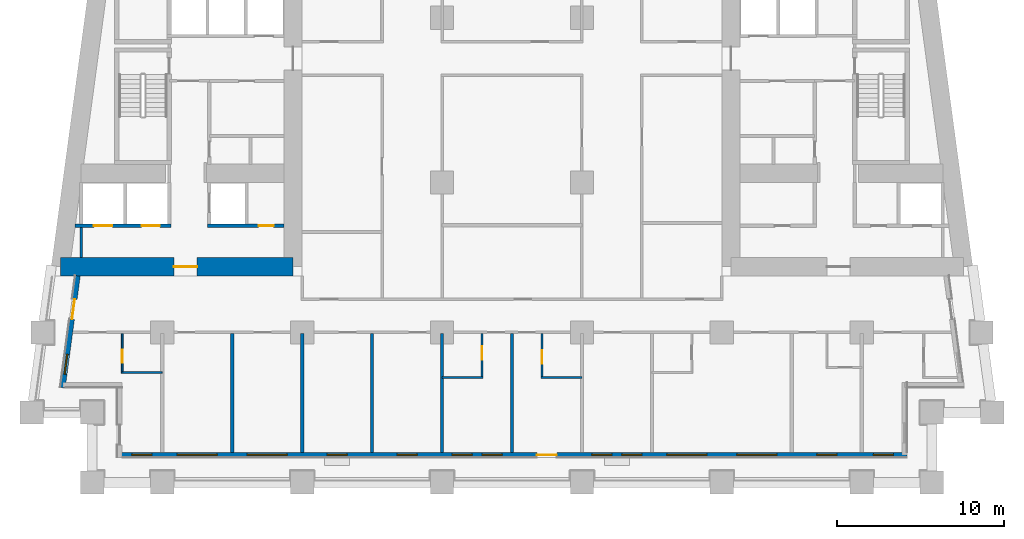
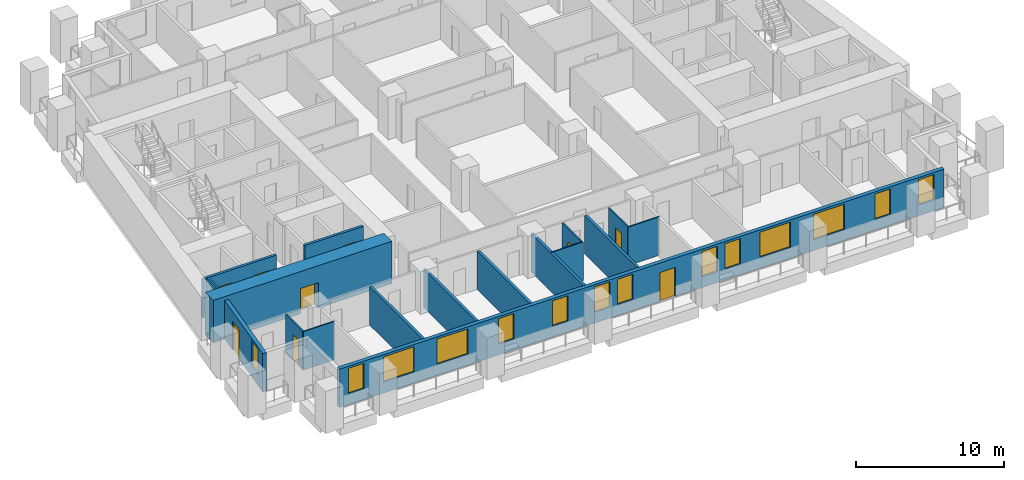
# One storey, part 2 of 12: 17 walls, 14 windows, 9 doors, 23 openings.
"""IFC4 building model written with IfcOpenShell, lengths in metres."""

from ifc_helpers import new_model, si_unit, direction, frame, frame_2d, origin, place, context, subcontext, project, spatial, rectangle, extrude, material, layer, layer_set, type_object, element, fill, save


model = new_model("IFC4")

# Units and contexts
model_context = context("Model", 3, precision=1e-05, world=origin(), true_north=direction((0.0, 1.0)))
body_context = subcontext(model_context, "Body", "Model", "MODEL_VIEW")
ifc_project = project(units=[si_unit("LENGTHUNIT", "METRE"), si_unit("AREAUNIT", "SQUARE_METRE"), si_unit("VOLUMEUNIT", "CUBIC_METRE"), si_unit("PLANEANGLEUNIT", "RADIAN"), si_unit("MASSUNIT", "GRAM", prefix="KILO")], contexts=[model_context])

# Site, building, storey
site_placement = place(None, origin())
site = spatial("IfcSite", under=ifc_project, at=site_placement, CompositionType="ELEMENT")
building_placement = place(site_placement, origin())
building = spatial("IfcBuilding", under=site, at=building_placement, Name="Candeia Pilgrim Tower and Theatre", CompositionType="ELEMENT")
storey_placement = place(building_placement, frame((0.0, 0.0, 46.0)))
storey = spatial("IfcBuildingStorey", under=building, at=storey_placement, Name="L08", CompositionType="ELEMENT", Elevation=46.0)

# Wall, opening, door
ifc_material_1 = material(Name="Concrete C80/95", Category="concrete")
ifc_layer_1 = layer(ifc_material_1, 1.10009765625)
ifc_layer_set_1 = layer_set([ifc_layer_1], Name="Core wall 1100 C80/95")
wall_type_1 = type_object("IfcWallType", Name="Core wall 1100 C80/95", PredefinedType="SHEAR", material=ifc_layer_set_1)
wall_1_placement = place(storey_placement, frame((100.25, 110.949951171875, 0.0), z_axis=(0.0, 0.0, 1.0), x_axis=(-1.0, 0.0, 0.0)))
wall_1 = element("IfcWall", 1, at=wall_1_placement, inside=storey, type_object=wall_type_1, Name="Core wall W3", PredefinedType="SHEAR", context=body_context, shape_type="SweptSolid", body=[
    extrude(rectangle(XDim=13.95166015625, YDim=1.10009765625, at=frame_2d((6.975830078125, 0.0))), origin(), (0.0, 0.0, 1.0), 3.5),
])
opening_1_placement = place(wall_1_placement, frame((5.74755859375, 0.0, 0.0)))
opening_1 = element("IfcOpeningElement", 2, at=opening_1_placement, cuts=wall_1, Name="Opening L08-D053", PredefinedType="OPENING", context=body_context, shape_type="SweptSolid", body=[
    extrude(rectangle(XDim=1.39990234375, YDim=2.10009765625, at=frame_2d((0.699951171875, 1.050048828125))), frame((0.0, 0.56005859375, 0.0), z_axis=(0.0, -1.0, 0.0), x_axis=(1.0, 0.0, 0.0)), (0.0, 0.0, 1.0), 1.1201171875),
])
ifc_material_2 = material(Name="Steel fire door set", Category="steel")
door_type_1 = type_object("IfcDoorType", Name="D-1400-FD60", OperationType="NOTDEFINED", PredefinedType="DOOR", material=ifc_material_2)
door_1_placement = place(opening_1_placement, origin())
door_1 = element("IfcDoor", 3, at=door_1_placement, inside=storey, type_object=door_type_1, Name="Door L08-D053", OperationType="SINGLE_SWING_LEFT", OverallHeight=2.10009765625, OverallWidth=1.39990234375, PredefinedType="DOOR", context=body_context, shape_type="SweptSolid", body=[
    extrude(rectangle(XDim=1.39990234375, YDim=2.10009765625, at=frame_2d((0.699951171875, 1.050048828125))), frame((0.0, 0.02490234375, 0.0), z_axis=(0.0, -1.0, 0.0), x_axis=(1.0, 0.0, 0.0)), (0.0, 0.0, 1.0), 0.050048828125),
])
fill(opening_1, door_1)

# Wall, openings, door, windows
ifc_material_3 = material(Name="Ceramic block masonry", Category="masonry")
ifc_layer_2 = layer(ifc_material_3, 0.300048828125)
ifc_layer_set_2 = layer_set([ifc_layer_2], Name="EW1 glazing-line wall 300")
wall_type_2 = type_object("IfcWallType", Name="EW1 glazing-line wall 300", PredefinedType="SOLIDWALL", material=ifc_layer_set_2)
wall_2_placement = place(storey_placement, frame((89.85009765625, 99.64990234375, 0.0), z_axis=(0.0, 0.0, 1.0), x_axis=(1.0, 0.0, 0.0)))
wall_2 = element("IfcWall", 4, at=wall_2_placement, inside=storey, type_object=wall_type_2, Name="External wall L08-0.0", PredefinedType="SOLIDWALL", context=body_context, shape_type="SweptSolid", body=[
    extrude(rectangle(XDim=47.25, YDim=0.300048828125, at=frame_2d((23.625, 0.0))), origin(), (0.0, 0.0, 1.0), 3.179931640625),
])
opening_2_placement = place(wall_2_placement, frame((0.72509765625, 0.0, 0.89990234375)))
opening_2 = element("IfcOpeningElement", 5, at=opening_2_placement, cuts=wall_2, Name="Opening W-B", PredefinedType="OPENING", context=body_context, shape_type="SweptSolid", body=[
    extrude(rectangle(XDim=1.199951171875, YDim=2.10009765625, at=frame_2d((0.60009765625, 1.050048828125))), frame((0.0, 0.16015625, 0.0), z_axis=(0.0, -1.0, 0.0), x_axis=(1.0, 0.0, 0.0)), (0.0, 0.0, 1.0), 0.320068359375),
])
opening_3_placement = place(wall_2_placement, frame((3.449951171875, 0.0, 0.89990234375)))
opening_3 = element("IfcOpeningElement", 6, at=opening_3_placement, cuts=wall_2, Name="Opening W-A", PredefinedType="OPENING", context=body_context, shape_type="SweptSolid", body=[
    extrude(rectangle(XDim=2.39990234375, YDim=2.10009765625, at=frame_2d((1.199951171875, 1.050048828125))), frame((0.0, 0.16015625, 0.0), z_axis=(0.0, -1.0, 0.0), x_axis=(1.0, 0.0, 0.0)), (0.0, 0.0, 1.0), 0.320068359375),
])
opening_4_placement = place(wall_2_placement, frame((7.64990234375, 0.0, 0.89990234375)))
opening_4 = element("IfcOpeningElement", 7, at=opening_4_placement, cuts=wall_2, Name="Opening W-A", PredefinedType="OPENING", context=body_context, shape_type="SweptSolid", body=[
    extrude(rectangle(XDim=2.39990234375, YDim=2.10009765625, at=frame_2d((1.199951171875, 1.050048828125))), frame((0.0, 0.16015625, 0.0), z_axis=(0.0, -1.0, 0.0), x_axis=(1.0, 0.0, 0.0)), (0.0, 0.0, 1.0), 0.320068359375),
])
opening_5_placement = place(wall_2_placement, frame((12.449951171875, 0.0, 0.89990234375)))
opening_5 = element("IfcOpeningElement", 8, at=opening_5_placement, cuts=wall_2, Name="Opening W-B", PredefinedType="OPENING", context=body_context, shape_type="SweptSolid", body=[
    extrude(rectangle(XDim=1.199951171875, YDim=2.10009765625, at=frame_2d((0.60009765625, 1.050048828125))), frame((0.0, 0.16015625, 0.0), z_axis=(0.0, -1.0, 0.0), x_axis=(1.0, 0.0, 0.0)), (0.0, 0.0, 1.0), 0.320068359375),
])
opening_6_placement = place(wall_2_placement, frame((16.64990234375, 0.0, 0.89990234375)))
opening_6 = element("IfcOpeningElement", 9, at=opening_6_placement, cuts=wall_2, Name="Opening W-B", PredefinedType="OPENING", context=body_context, shape_type="SweptSolid", body=[
    extrude(rectangle(XDim=1.199951171875, YDim=2.10009765625, at=frame_2d((0.60009765625, 1.050048828125))), frame((0.0, 0.16015625, 0.0), z_axis=(0.0, -1.0, 0.0), x_axis=(1.0, 0.0, 0.0)), (0.0, 0.0, 1.0), 0.320068359375),
])
opening_7_placement = place(wall_2_placement, frame((19.949951171875, 0.0, 0.89990234375)))
opening_7 = element("IfcOpeningElement", 10, at=opening_7_placement, cuts=wall_2, Name="Opening W-B", PredefinedType="OPENING", context=body_context, shape_type="SweptSolid", body=[
    extrude(rectangle(XDim=1.199951171875, YDim=2.10009765625, at=frame_2d((0.60009765625, 1.050048828125))), frame((0.0, 0.16015625, 0.0), z_axis=(0.0, -1.0, 0.0), x_axis=(1.0, 0.0, 0.0)), (0.0, 0.0, 1.0), 0.320068359375),
])
opening_8_placement = place(wall_2_placement, frame((21.75, 0.0, 0.89990234375)))
opening_8 = element("IfcOpeningElement", 11, at=opening_8_placement, cuts=wall_2, Name="Opening W-B", PredefinedType="OPENING", context=body_context, shape_type="SweptSolid", body=[
    extrude(rectangle(XDim=1.199951171875, YDim=2.10009765625, at=frame_2d((0.60009765625, 1.050048828125))), frame((0.0, 0.16015625, 0.0), z_axis=(0.0, -1.0, 0.0), x_axis=(1.0, 0.0, 0.0)), (0.0, 0.0, 1.0), 0.320068359375),
])
opening_9_placement = place(wall_2_placement, frame((25.050048828125, 0.0, 0.0)))
opening_9 = element("IfcOpeningElement", 12, at=opening_9_placement, cuts=wall_2, Name="Opening L08-ED101", PredefinedType="OPENING", context=body_context, shape_type="SweptSolid", body=[
    extrude(rectangle(XDim=1.199951171875, YDim=2.39990234375, at=frame_2d((0.60009765625, 1.199951171875))), frame((0.0, 0.16015625, 0.0), z_axis=(0.0, -1.0, 0.0), x_axis=(1.0, 0.0, 0.0)), (0.0, 0.0, 1.0), 0.320068359375),
])
opening_10_placement = place(wall_2_placement, frame((28.35009765625, 0.0, 0.89990234375)))
opening_10 = element("IfcOpeningElement", 13, at=opening_10_placement, cuts=wall_2, Name="Opening W-B", PredefinedType="OPENING", context=body_context, shape_type="SweptSolid", body=[
    extrude(rectangle(XDim=1.199951171875, YDim=2.10009765625, at=frame_2d((0.60009765625, 1.050048828125))), frame((0.0, 0.16015625, 0.0), z_axis=(0.0, -1.0, 0.0), x_axis=(1.0, 0.0, 0.0)), (0.0, 0.0, 1.0), 0.320068359375),
])
opening_11_placement = place(wall_2_placement, frame((30.14990234375, 0.0, 0.89990234375)))
opening_11 = element("IfcOpeningElement", 14, at=opening_11_placement, cuts=wall_2, Name="Opening W-B", PredefinedType="OPENING", context=body_context, shape_type="SweptSolid", body=[
    extrude(rectangle(XDim=1.199951171875, YDim=2.10009765625, at=frame_2d((0.60009765625, 1.050048828125))), frame((0.0, 0.16015625, 0.0), z_axis=(0.0, -1.0, 0.0), x_axis=(1.0, 0.0, 0.0)), (0.0, 0.0, 1.0), 0.320068359375),
])
opening_12_placement = place(wall_2_placement, frame((32.85009765625, 0.0, 0.89990234375)))
opening_12 = element("IfcOpeningElement", 15, at=opening_12_placement, cuts=wall_2, Name="Opening W-A", PredefinedType="OPENING", context=body_context, shape_type="SweptSolid", body=[
    extrude(rectangle(XDim=2.39990234375, YDim=2.10009765625, at=frame_2d((1.199951171875, 1.050048828125))), frame((0.0, 0.16015625, 0.0), z_axis=(0.0, -1.0, 0.0), x_axis=(1.0, 0.0, 0.0)), (0.0, 0.0, 1.0), 0.320068359375),
])
opening_13_placement = place(wall_2_placement, frame((37.050048828125, 0.0, 0.89990234375)))
opening_13 = element("IfcOpeningElement", 16, at=opening_13_placement, cuts=wall_2, Name="Opening W-A", PredefinedType="OPENING", context=body_context, shape_type="SweptSolid", body=[
    extrude(rectangle(XDim=2.39990234375, YDim=2.10009765625, at=frame_2d((1.199951171875, 1.050048828125))), frame((0.0, 0.16015625, 0.0), z_axis=(0.0, -1.0, 0.0), x_axis=(1.0, 0.0, 0.0)), (0.0, 0.0, 1.0), 0.320068359375),
])
opening_14_placement = place(wall_2_placement, frame((41.85009765625, 0.0, 0.89990234375)))
opening_14 = element("IfcOpeningElement", 17, at=opening_14_placement, cuts=wall_2, Name="Opening W-B", PredefinedType="OPENING", context=body_context, shape_type="SweptSolid", body=[
    extrude(rectangle(XDim=1.199951171875, YDim=2.10009765625, at=frame_2d((0.60009765625, 1.050048828125))), frame((0.0, 0.16015625, 0.0), z_axis=(0.0, -1.0, 0.0), x_axis=(1.0, 0.0, 0.0)), (0.0, 0.0, 1.0), 0.320068359375),
])
opening_15_placement = place(wall_2_placement, frame((45.25, 0.0, 0.89990234375)))
opening_15 = element("IfcOpeningElement", 18, at=opening_15_placement, cuts=wall_2, Name="Opening W-B", PredefinedType="OPENING", context=body_context, shape_type="SweptSolid", body=[
    extrude(rectangle(XDim=1.199951171875, YDim=2.10009765625, at=frame_2d((0.60009765625, 1.050048828125))), frame((0.0, 0.16015625, 0.0), z_axis=(0.0, -1.0, 0.0), x_axis=(1.0, 0.0, 0.0)), (0.0, 0.0, 1.0), 0.320068359375),
])
ifc_material_4 = material(Name="Aluminium framed glazed door", Category="aluminium")
door_type_2 = type_object("IfcDoorType", Name="Loggia door 1200x2400", OperationType="DOUBLE_DOOR_SINGLE_SWING", PredefinedType="DOOR", material=ifc_material_4)
door_2_placement = place(opening_9_placement, origin())
door_2 = element("IfcDoor", 19, at=door_2_placement, inside=storey, type_object=door_type_2, Name="Loggia door L08-ED101", OperationType="DOUBLE_DOOR_SINGLE_SWING", OverallHeight=2.39990234375, OverallWidth=1.199951171875, PredefinedType="DOOR", context=body_context, shape_type="SweptSolid", body=[
    extrude(rectangle(XDim=1.199951171875, YDim=2.39990234375, at=frame_2d((0.60009765625, 1.199951171875))), frame((0.0, 0.02490234375, 0.0), z_axis=(0.0, -1.0, 0.0), x_axis=(1.0, 0.0, 0.0)), (0.0, 0.0, 1.0), 0.050048828125),
])
fill(opening_9, door_2)
ifc_material_5 = material(Name="Aluminium framed double glazing", Category="aluminium")
window_type_1 = type_object("IfcWindowType", Name="W-A window 2400x2100", PartitioningType="DOUBLE_PANEL_VERTICAL", PredefinedType="WINDOW", material=ifc_material_5)
window_1_placement = place(opening_3_placement, origin())
window_1 = element("IfcWindow", 20, at=window_1_placement, inside=storey, type_object=window_type_1, Name="Window W-A L08", OverallHeight=2.10009765625, OverallWidth=2.39990234375, PartitioningType="SINGLE_PANEL", PredefinedType="WINDOW", context=body_context, shape_type="SweptSolid", body=[
    extrude(rectangle(XDim=2.39990234375, YDim=2.10009765625, at=frame_2d((1.199951171875, 1.050048828125))), frame((0.0, 0.030029296875, 0.0), z_axis=(0.0, -1.0, 0.0), x_axis=(1.0, 0.0, 0.0)), (0.0, 0.0, 1.0), 0.06005859375),
])
fill(opening_3, window_1)
window_2_placement = place(opening_4_placement, origin())
window_2 = element("IfcWindow", 21, at=window_2_placement, inside=storey, type_object=window_type_1, Name="Window W-A L08", OverallHeight=2.10009765625, OverallWidth=2.39990234375, PartitioningType="SINGLE_PANEL", PredefinedType="WINDOW", context=body_context, shape_type="SweptSolid", body=[
    extrude(rectangle(XDim=2.39990234375, YDim=2.10009765625, at=frame_2d((1.199951171875, 1.050048828125))), frame((0.0, 0.030029296875, 0.0), z_axis=(0.0, -1.0, 0.0), x_axis=(1.0, 0.0, 0.0)), (0.0, 0.0, 1.0), 0.06005859375),
])
fill(opening_4, window_2)
window_3_placement = place(opening_12_placement, origin())
window_3 = element("IfcWindow", 22, at=window_3_placement, inside=storey, type_object=window_type_1, Name="Window W-A L08", OverallHeight=2.10009765625, OverallWidth=2.39990234375, PartitioningType="SINGLE_PANEL", PredefinedType="WINDOW", context=body_context, shape_type="SweptSolid", body=[
    extrude(rectangle(XDim=2.39990234375, YDim=2.10009765625, at=frame_2d((1.199951171875, 1.050048828125))), frame((0.0, 0.030029296875, 0.0), z_axis=(0.0, -1.0, 0.0), x_axis=(1.0, 0.0, 0.0)), (0.0, 0.0, 1.0), 0.06005859375),
])
fill(opening_12, window_3)
window_4_placement = place(opening_13_placement, origin())
window_4 = element("IfcWindow", 23, at=window_4_placement, inside=storey, type_object=window_type_1, Name="Window W-A L08", OverallHeight=2.10009765625, OverallWidth=2.39990234375, PartitioningType="SINGLE_PANEL", PredefinedType="WINDOW", context=body_context, shape_type="SweptSolid", body=[
    extrude(rectangle(XDim=2.39990234375, YDim=2.10009765625, at=frame_2d((1.199951171875, 1.050048828125))), frame((0.0, 0.030029296875, 0.0), z_axis=(0.0, -1.0, 0.0), x_axis=(1.0, 0.0, 0.0)), (0.0, 0.0, 1.0), 0.06005859375),
])
fill(opening_13, window_4)
window_type_2 = type_object("IfcWindowType", Name="W-B window 1200x2100", PartitioningType="SINGLE_PANEL", PredefinedType="WINDOW", material=ifc_material_5)
window_5_placement = place(opening_2_placement, origin())
window_5 = element("IfcWindow", 24, at=window_5_placement, inside=storey, type_object=window_type_2, Name="Window W-B L08", OverallHeight=2.10009765625, OverallWidth=1.199951171875, PartitioningType="SINGLE_PANEL", PredefinedType="WINDOW", context=body_context, shape_type="SweptSolid", body=[
    extrude(rectangle(XDim=1.199951171875, YDim=2.10009765625, at=frame_2d((0.60009765625, 1.050048828125))), frame((0.0, 0.030029296875, 0.0), z_axis=(0.0, -1.0, 0.0), x_axis=(1.0, 0.0, 0.0)), (0.0, 0.0, 1.0), 0.06005859375),
])
fill(opening_2, window_5)
window_6_placement = place(opening_5_placement, origin())
window_6 = element("IfcWindow", 25, at=window_6_placement, inside=storey, type_object=window_type_2, Name="Window W-B L08", OverallHeight=2.10009765625, OverallWidth=1.199951171875, PartitioningType="SINGLE_PANEL", PredefinedType="WINDOW", context=body_context, shape_type="SweptSolid", body=[
    extrude(rectangle(XDim=1.199951171875, YDim=2.10009765625, at=frame_2d((0.60009765625, 1.050048828125))), frame((0.0, 0.030029296875, 0.0), z_axis=(0.0, -1.0, 0.0), x_axis=(1.0, 0.0, 0.0)), (0.0, 0.0, 1.0), 0.06005859375),
])
fill(opening_5, window_6)
window_7_placement = place(opening_6_placement, origin())
window_7 = element("IfcWindow", 26, at=window_7_placement, inside=storey, type_object=window_type_2, Name="Window W-B L08", OverallHeight=2.10009765625, OverallWidth=1.199951171875, PartitioningType="SINGLE_PANEL", PredefinedType="WINDOW", context=body_context, shape_type="SweptSolid", body=[
    extrude(rectangle(XDim=1.199951171875, YDim=2.10009765625, at=frame_2d((0.60009765625, 1.050048828125))), frame((0.0, 0.030029296875, 0.0), z_axis=(0.0, -1.0, 0.0), x_axis=(1.0, 0.0, 0.0)), (0.0, 0.0, 1.0), 0.06005859375),
])
fill(opening_6, window_7)
window_8_placement = place(opening_7_placement, origin())
window_8 = element("IfcWindow", 27, at=window_8_placement, inside=storey, type_object=window_type_2, Name="Window W-B L08", OverallHeight=2.10009765625, OverallWidth=1.199951171875, PartitioningType="SINGLE_PANEL", PredefinedType="WINDOW", context=body_context, shape_type="SweptSolid", body=[
    extrude(rectangle(XDim=1.199951171875, YDim=2.10009765625, at=frame_2d((0.60009765625, 1.050048828125))), frame((0.0, 0.030029296875, 0.0), z_axis=(0.0, -1.0, 0.0), x_axis=(1.0, 0.0, 0.0)), (0.0, 0.0, 1.0), 0.06005859375),
])
fill(opening_7, window_8)
window_9_placement = place(opening_8_placement, origin())
window_9 = element("IfcWindow", 28, at=window_9_placement, inside=storey, type_object=window_type_2, Name="Window W-B L08", OverallHeight=2.10009765625, OverallWidth=1.199951171875, PartitioningType="SINGLE_PANEL", PredefinedType="WINDOW", context=body_context, shape_type="SweptSolid", body=[
    extrude(rectangle(XDim=1.199951171875, YDim=2.10009765625, at=frame_2d((0.60009765625, 1.050048828125))), frame((0.0, 0.030029296875, 0.0), z_axis=(0.0, -1.0, 0.0), x_axis=(1.0, 0.0, 0.0)), (0.0, 0.0, 1.0), 0.06005859375),
])
fill(opening_8, window_9)
window_10_placement = place(opening_10_placement, origin())
window_10 = element("IfcWindow", 29, at=window_10_placement, inside=storey, type_object=window_type_2, Name="Window W-B L08", OverallHeight=2.10009765625, OverallWidth=1.199951171875, PartitioningType="SINGLE_PANEL", PredefinedType="WINDOW", context=body_context, shape_type="SweptSolid", body=[
    extrude(rectangle(XDim=1.199951171875, YDim=2.10009765625, at=frame_2d((0.60009765625, 1.050048828125))), frame((0.0, 0.030029296875, 0.0), z_axis=(0.0, -1.0, 0.0), x_axis=(1.0, 0.0, 0.0)), (0.0, 0.0, 1.0), 0.06005859375),
])
fill(opening_10, window_10)
window_11_placement = place(opening_11_placement, origin())
window_11 = element("IfcWindow", 30, at=window_11_placement, inside=storey, type_object=window_type_2, Name="Window W-B L08", OverallHeight=2.10009765625, OverallWidth=1.199951171875, PartitioningType="SINGLE_PANEL", PredefinedType="WINDOW", context=body_context, shape_type="SweptSolid", body=[
    extrude(rectangle(XDim=1.199951171875, YDim=2.10009765625, at=frame_2d((0.60009765625, 1.050048828125))), frame((0.0, 0.030029296875, 0.0), z_axis=(0.0, -1.0, 0.0), x_axis=(1.0, 0.0, 0.0)), (0.0, 0.0, 1.0), 0.06005859375),
])
fill(opening_11, window_11)
window_12_placement = place(opening_14_placement, origin())
window_12 = element("IfcWindow", 31, at=window_12_placement, inside=storey, type_object=window_type_2, Name="Window W-B L08", OverallHeight=2.10009765625, OverallWidth=1.199951171875, PartitioningType="SINGLE_PANEL", PredefinedType="WINDOW", context=body_context, shape_type="SweptSolid", body=[
    extrude(rectangle(XDim=1.199951171875, YDim=2.10009765625, at=frame_2d((0.60009765625, 1.050048828125))), frame((0.0, 0.030029296875, 0.0), z_axis=(0.0, -1.0, 0.0), x_axis=(1.0, 0.0, 0.0)), (0.0, 0.0, 1.0), 0.06005859375),
])
fill(opening_14, window_12)
window_13_placement = place(opening_15_placement, origin())
window_13 = element("IfcWindow", 32, at=window_13_placement, inside=storey, type_object=window_type_2, Name="Window W-B L08", OverallHeight=2.10009765625, OverallWidth=1.199951171875, PartitioningType="SINGLE_PANEL", PredefinedType="WINDOW", context=body_context, shape_type="SweptSolid", body=[
    extrude(rectangle(XDim=1.199951171875, YDim=2.10009765625, at=frame_2d((0.60009765625, 1.050048828125))), frame((0.0, 0.030029296875, 0.0), z_axis=(0.0, -1.0, 0.0), x_axis=(1.0, 0.0, 0.0)), (0.0, 0.0, 1.0), 0.06005859375),
])
fill(opening_15, window_13)

# Wall, openings, door, window
wall_3_placement = place(storey_placement, frame((87.334228515625, 110.39990234375, 0.0), z_axis=(0.0, 0.0, 1.0), x_axis=(-0.133437175554, -0.991057273915, 0.0)))
wall_3 = element("IfcWall", 33, at=wall_3_placement, inside=storey, type_object=wall_type_2, Name="External wall L08-9.1", PredefinedType="SOLIDWALL", context=body_context, shape_type="SweptSolid", body=[
    extrude(rectangle(XDim=6.780517578125, YDim=0.300048828125, at=frame_2d((3.39013671875, 0.0))), origin(), (0.0, 0.0, 1.0), 3.179931640625),
])
opening_16_placement = place(wall_3_placement, frame((1.41796875, 0.0, 0.0)))
opening_16 = element("IfcOpeningElement", 34, at=opening_16_placement, cuts=wall_3, Name="Opening L08-ED108", PredefinedType="OPENING", context=body_context, shape_type="SweptSolid", body=[
    extrude(rectangle(XDim=1.199951171875, YDim=2.39990234375, at=frame_2d((0.60009765625, 1.199951171875))), frame((0.0, 0.16015625, 0.0), z_axis=(0.0, -1.0, 0.0), x_axis=(1.0, 0.0, 0.0)), (0.0, 0.0, 1.0), 0.320068359375),
])
opening_17_placement = place(wall_3_placement, frame((4.75830078125, 0.0, 0.89990234375)))
opening_17 = element("IfcOpeningElement", 35, at=opening_17_placement, cuts=wall_3, Name="Opening W-B", PredefinedType="OPENING", context=body_context, shape_type="SweptSolid", body=[
    extrude(rectangle(XDim=1.199951171875, YDim=2.10009765625, at=frame_2d((0.60009765625, 1.050048828125))), frame((0.0, 0.16015625, 0.0), z_axis=(0.0, -1.0, 0.0), x_axis=(1.0, 0.0, 0.0)), (0.0, 0.0, 1.0), 0.320068359375),
])
door_3_placement = place(opening_16_placement, origin())
door_3 = element("IfcDoor", 36, at=door_3_placement, inside=storey, type_object=door_type_2, Name="Loggia door L08-ED108", OperationType="DOUBLE_DOOR_SINGLE_SWING", OverallHeight=2.39990234375, OverallWidth=1.199951171875, PredefinedType="DOOR", context=body_context, shape_type="SweptSolid", body=[
    extrude(rectangle(XDim=1.199951171875, YDim=2.39990234375, at=frame_2d((0.60009765625, 1.199951171875))), frame((0.0, 0.02490234375, 0.0), z_axis=(0.0, -1.0, 0.0), x_axis=(1.0, 0.0, 0.0)), (0.0, 0.0, 1.0), 0.050048828125),
])
fill(opening_16, door_3)
window_14_placement = place(opening_17_placement, origin())
window_14 = element("IfcWindow", 37, at=window_14_placement, inside=storey, type_object=window_type_2, Name="Window W-B L08", OverallHeight=2.10009765625, OverallWidth=1.199951171875, PartitioningType="SINGLE_PANEL", PredefinedType="WINDOW", context=body_context, shape_type="SweptSolid", body=[
    extrude(rectangle(XDim=1.199951171875, YDim=2.10009765625, at=frame_2d((0.60009765625, 1.050048828125))), frame((0.0, 0.030029296875, 0.0), z_axis=(0.0, -1.0, 0.0), x_axis=(1.0, 0.0, 0.0)), (0.0, 0.0, 1.0), 0.06005859375),
])
fill(opening_17, window_14)

# Walls
ifc_material_6 = material(Name="Gypsum board partition on steel studs", Category="steel")
ifc_layer_3 = layer(ifc_material_6, 0.10009765625)
ifc_layer_set_3 = layer_set([ifc_layer_3], Name="PW-100 room partition")
wall_type_3 = type_object("IfcWallType", Name="PW-100 room partition", PredefinedType="PARTITIONING", material=ifc_layer_set_3)
wall_4_placement = place(storey_placement, frame((109.199951171875, 104.300048828125, 0.0), z_axis=(0.0, 0.0, 1.0), x_axis=(1.0, 0.0, 0.0)))
element("IfcWall", 38, at=wall_4_placement, inside=storey, type_object=wall_type_3, Name="Room partition L08-001", PredefinedType="PARTITIONING", context=body_context, shape_type="SweptSolid", body=[
    extrude(rectangle(XDim=2.449951171875, YDim=0.10009765625, at=frame_2d((1.22509765625, 0.0))), origin(), (0.0, 0.0, 1.0), 3.179931640625),
])
wall_5_placement = place(storey_placement, frame((115.14990234375, 104.300048828125, 0.0), z_axis=(0.0, 0.0, 1.0), x_axis=(1.0, 0.0, 0.0)))
element("IfcWall", 39, at=wall_5_placement, inside=storey, type_object=wall_type_3, Name="Room partition L08-002", PredefinedType="PARTITIONING", context=body_context, shape_type="SweptSolid", body=[
    extrude(rectangle(XDim=2.4501953125, YDim=0.10009765625, at=frame_2d((1.22509765625, 0.0))), origin(), (0.0, 0.0, 1.0), 3.179931640625),
])
wall_6_placement = place(storey_placement, frame((89.949951171875, 104.60009765625, 0.0), z_axis=(0.0, 0.0, 1.0), x_axis=(1.0, 0.0, 0.0)))
element("IfcWall", 40, at=wall_6_placement, inside=storey, type_object=wall_type_3, Name="Room partition L08-004", PredefinedType="PARTITIONING", context=body_context, shape_type="SweptSolid", body=[
    extrude(rectangle(XDim=2.449951171875, YDim=0.10009765625, at=frame_2d((1.22509765625, 0.0))), origin(), (0.0, 0.0, 1.0), 3.179931640625),
])

# Wall, opening, door
wall_7_placement = place(storey_placement, frame((90.0, 104.64990234375, 0.0), z_axis=(0.0, 0.0, 1.0), x_axis=(0.0, 1.0, 0.0)))
wall_7 = element("IfcWall", 41, at=wall_7_placement, inside=storey, type_object=wall_type_3, Name="Room partition L08-054", PredefinedType="PARTITIONING", context=body_context, shape_type="SweptSolid", body=[
    extrude(rectangle(XDim=2.275146484375, YDim=0.10009765625, at=frame_2d((1.1376953125, 0.0))), origin(), (0.0, 0.0, 1.0), 3.179931640625),
])
opening_18_placement = place(wall_7_placement, frame((0.52490234375, 0.0, 0.0)))
opening_18 = element("IfcOpeningElement", 42, at=opening_18_placement, cuts=wall_7, Name="Opening L08-D015", PredefinedType="OPENING", context=body_context, shape_type="SweptSolid", body=[
    extrude(rectangle(XDim=0.800048828125, YDim=2.10009765625, at=frame_2d((0.39990234375, 1.050048828125))), frame((0.0, 0.06005859375, 0.0), z_axis=(0.0, -1.0, 0.0), x_axis=(1.0, 0.0, 0.0)), (0.0, 0.0, 1.0), 0.1201171875),
])
ifc_material_7 = material(Name="Timber door leaf", Category="wood")
door_type_3 = type_object("IfcDoorType", Name="D-800", OperationType="NOTDEFINED", PredefinedType="DOOR", material=ifc_material_7)
door_4_placement = place(opening_18_placement, origin())
door_4 = element("IfcDoor", 43, at=door_4_placement, inside=storey, type_object=door_type_3, Name="Door L08-D015", OperationType="SINGLE_SWING_LEFT", OverallHeight=2.10009765625, OverallWidth=0.800048828125, PredefinedType="DOOR", context=body_context, shape_type="SweptSolid", body=[
    extrude(rectangle(XDim=0.800048828125, YDim=2.10009765625, at=frame_2d((0.39990234375, 1.050048828125))), frame((0.0, 0.02490234375, 0.0), z_axis=(0.0, -1.0, 0.0), x_axis=(1.0, 0.0, 0.0)), (0.0, 0.0, 1.0), 0.050048828125),
])
fill(opening_18, door_4)

wall_8_placement = place(storey_placement, frame((111.60009765625, 104.35009765625, 0.0), z_axis=(0.0, 0.0, 1.0), x_axis=(0.0, 1.0, 0.0)))
wall_8 = element("IfcWall", 44, at=wall_8_placement, inside=storey, type_object=wall_type_3, Name="Room partition L08-084", PredefinedType="PARTITIONING", context=body_context, shape_type="SweptSolid", body=[
    extrude(rectangle(XDim=2.574951171875, YDim=0.10009765625, at=frame_2d((1.28759765625, 0.0))), origin(), (0.0, 0.0, 1.0), 3.179931640625),
])
opening_19_placement = place(wall_8_placement, frame((1.02001953125, 0.0, 0.0)))
opening_19 = element("IfcOpeningElement", 45, at=opening_19_placement, cuts=wall_8, Name="Opening L08-D021", PredefinedType="OPENING", context=body_context, shape_type="SweptSolid", body=[
    extrude(rectangle(XDim=0.800048828125, YDim=2.10009765625, at=frame_2d((0.39990234375, 1.050048828125))), frame((0.0, 0.06005859375, 0.0), z_axis=(0.0, -1.0, 0.0), x_axis=(1.0, 0.0, 0.0)), (0.0, 0.0, 1.0), 0.1201171875),
])
door_5_placement = place(opening_19_placement, origin())
door_5 = element("IfcDoor", 46, at=door_5_placement, inside=storey, type_object=door_type_3, Name="Door L08-D021", OperationType="SINGLE_SWING_LEFT", OverallHeight=2.10009765625, OverallWidth=0.800048828125, PredefinedType="DOOR", context=body_context, shape_type="SweptSolid", body=[
    extrude(rectangle(XDim=0.800048828125, YDim=2.10009765625, at=frame_2d((0.39990234375, 1.050048828125))), frame((0.0, 0.02490234375, 0.0), z_axis=(0.0, -1.0, 0.0), x_axis=(1.0, 0.0, 0.0)), (0.0, 0.0, 1.0), 0.050048828125),
])
fill(opening_19, door_5)

wall_9_placement = place(storey_placement, frame((115.199951171875, 104.35009765625, 0.0), z_axis=(0.0, 0.0, 1.0), x_axis=(0.0, 1.0, 0.0)))
wall_9 = element("IfcWall", 47, at=wall_9_placement, inside=storey, type_object=wall_type_3, Name="Room partition L08-087", PredefinedType="PARTITIONING", context=body_context, shape_type="SweptSolid", body=[
    extrude(rectangle(XDim=2.574951171875, YDim=0.10009765625, at=frame_2d((1.28759765625, 0.0))), origin(), (0.0, 0.0, 1.0), 3.179931640625),
])
opening_20_placement = place(wall_9_placement, frame((0.780029296875, 0.0, 0.0)))
opening_20 = element("IfcOpeningElement", 48, at=opening_20_placement, cuts=wall_9, Name="Opening L08-D023", PredefinedType="OPENING", context=body_context, shape_type="SweptSolid", body=[
    extrude(rectangle(XDim=0.800048828125, YDim=2.10009765625, at=frame_2d((0.39990234375, 1.050048828125))), frame((0.0, 0.06005859375, 0.0), z_axis=(0.0, -1.0, 0.0), x_axis=(1.0, 0.0, 0.0)), (0.0, 0.0, 1.0), 0.1201171875),
])
door_6_placement = place(opening_20_placement, origin())
door_6 = element("IfcDoor", 49, at=door_6_placement, inside=storey, type_object=door_type_3, Name="Door L08-D023", OperationType="SINGLE_SWING_LEFT", OverallHeight=2.10009765625, OverallWidth=0.800048828125, PredefinedType="DOOR", context=body_context, shape_type="SweptSolid", body=[
    extrude(rectangle(XDim=0.800048828125, YDim=2.10009765625, at=frame_2d((0.39990234375, 1.050048828125))), frame((0.0, 0.02490234375, 0.0), z_axis=(0.0, -1.0, 0.0), x_axis=(1.0, 0.0, 0.0)), (0.0, 0.0, 1.0), 0.050048828125),
])
fill(opening_20, door_6)

# Walls
ifc_layer_4 = layer(ifc_material_6, 0.14990234375)
ifc_layer_set_4 = layer_set([ifc_layer_4], Name="PW-150 lobby wall")
wall_type_4 = type_object("IfcWallType", Name="PW-150 lobby wall", PredefinedType="PARTITIONING", material=ifc_layer_set_4)
wall_10_placement = place(storey_placement, frame((87.530029296875, 111.5, 0.0), z_axis=(0.0, 0.0, 1.0), x_axis=(0.0, 1.0, 0.0)))
element("IfcWall", 50, at=wall_10_placement, inside=storey, type_object=wall_type_4, Name="Lobby wall L08-051", PredefinedType="PARTITIONING", context=body_context, shape_type="SweptSolid", body=[
    extrude(rectangle(XDim=1.800048828125, YDim=0.14990234375, at=frame_2d((0.89990234375, 0.0))), origin(), (0.0, 0.0, 1.0), 3.179931640625),
])
ifc_layer_5 = layer(ifc_material_6, 0.199951171875)
ifc_layer_set_5 = layer_set([ifc_layer_5], Name="PW-200 party wall")
wall_type_5 = type_object("IfcWallType", Name="PW-200 party wall", PredefinedType="PARTITIONING", material=ifc_layer_set_5)
for number, where, z_axis, x_axis, name in (
    (51, (96.60009765625, 99.7900390625, 0.0), (0.0, 0.0, 1.0), (0.0, 1.0, 0.0), "Party wall L08-067"),
    (52, (100.800048828125, 99.7900390625, 0.0), (0.0, 0.0, 1.0), (0.0, 1.0, 0.0), "Party wall L08-072"),
    (53, (105.0, 99.7900390625, 0.0), (0.0, 0.0, 1.0), (0.0, 1.0, 0.0), "Party wall L08-076"),
    (54, (109.199951171875, 99.7900390625, 0.0), (0.0, 0.0, 1.0), (0.0, 1.0, 0.0), "Party wall L08-080"),
    (55, (113.39990234375, 99.7900390625, 0.0), (0.0, 0.0, 1.0), (0.0, 1.0, 0.0), "Party wall L08-085"),
):
    element("IfcWall", number, at=place(storey_placement, frame(where, z_axis=z_axis, x_axis=x_axis)), inside=storey, type_object=wall_type_5, Name=name, PredefinedType="PARTITIONING", context=body_context, shape_type="SweptSolid", body=[
        extrude(rectangle(XDim=7.135009765625, YDim=0.199951171875, at=frame_2d((3.5673828125, 0.0))), origin(), (0.0, 0.0, 1.0), 3.179931640625),
    ])

# Wall, openings, doors
ifc_material_8 = material(Name="Concrete C40/50", Category="concrete")
ifc_layer_6 = layer(ifc_material_8, 0.199951171875)
ifc_layer_set_6 = layer_set([ifc_layer_6], Name="SW-200 shaft wall")
wall_type_6 = type_object("IfcWallType", Name="SW-200 shaft wall", PredefinedType="PARTITIONING", material=ifc_layer_set_6)
wall_11_placement = place(storey_placement, frame((87.153076171875, 113.39990234375, 0.0), z_axis=(0.0, 0.0, 1.0), x_axis=(1.0, 0.0, 0.0)))
wall_11 = element("IfcWall", 56, at=wall_11_placement, inside=storey, type_object=wall_type_6, Name="Shaft wall L08-010", PredefinedType="PARTITIONING", context=body_context, shape_type="SweptSolid", body=[
    extrude(rectangle(XDim=5.77392578125, YDim=0.199951171875, at=frame_2d((2.886962890625, 0.0))), origin(), (0.0, 0.0, 1.0), 3.179931640625),
])
opening_21_placement = place(wall_11_placement, frame((1.15087890625, 0.0, 0.0)))
opening_21 = element("IfcOpeningElement", 57, at=opening_21_placement, cuts=wall_11, Name="Opening L08-LD03", PredefinedType="OPENING", context=body_context, shape_type="SweptSolid", body=[
    extrude(rectangle(XDim=1.10009765625, YDim=2.10009765625, at=frame_2d((0.550048828125, 1.050048828125))), frame((0.0, 0.10986328125, 0.0), z_axis=(0.0, -1.0, 0.0), x_axis=(1.0, 0.0, 0.0)), (0.0, 0.0, 1.0), 0.219970703125),
])
opening_22_placement = place(wall_11_placement, frame((4.011962890625, 0.0, 0.0)))
opening_22 = element("IfcOpeningElement", 58, at=opening_22_placement, cuts=wall_11, Name="Opening L08-LD04", PredefinedType="OPENING", context=body_context, shape_type="SweptSolid", body=[
    extrude(rectangle(XDim=1.10009765625, YDim=2.10009765625, at=frame_2d((0.550048828125, 1.050048828125))), frame((0.0, 0.10986328125, 0.0), z_axis=(0.0, -1.0, 0.0), x_axis=(1.0, 0.0, 0.0)), (0.0, 0.0, 1.0), 0.219970703125),
])
ifc_material_9 = material(Name="Glazed aluminium landing door", Category="aluminium")
door_type_4 = type_object("IfcDoorType", Name="LD-1100-EI120", OperationType="SLIDING_TO_LEFT", PredefinedType="DOOR", material=ifc_material_9)
door_7_placement = place(opening_21_placement, origin())
door_7 = element("IfcDoor", 59, at=door_7_placement, inside=storey, type_object=door_type_4, Name="Landing door 03 L08", OperationType="SLIDING_TO_LEFT", OverallHeight=2.10009765625, OverallWidth=1.10009765625, PredefinedType="DOOR", context=body_context, shape_type="SweptSolid", body=[
    extrude(rectangle(XDim=1.10009765625, YDim=2.10009765625, at=frame_2d((0.550048828125, 1.050048828125))), frame((0.0, 0.02490234375, 0.0), z_axis=(0.0, -1.0, 0.0), x_axis=(1.0, 0.0, 0.0)), (0.0, 0.0, 1.0), 0.050048828125),
])
fill(opening_21, door_7)
door_8_placement = place(opening_22_placement, origin())
door_8 = element("IfcDoor", 60, at=door_8_placement, inside=storey, type_object=door_type_4, Name="Landing door 04 L08", OperationType="SLIDING_TO_LEFT", OverallHeight=2.10009765625, OverallWidth=1.10009765625, PredefinedType="DOOR", context=body_context, shape_type="SweptSolid", body=[
    extrude(rectangle(XDim=1.10009765625, YDim=2.10009765625, at=frame_2d((0.550048828125, 1.050048828125))), frame((0.0, 0.02490234375, 0.0), z_axis=(0.0, -1.0, 0.0), x_axis=(1.0, 0.0, 0.0)), (0.0, 0.0, 1.0), 0.050048828125),
])
fill(opening_22, door_8)

# Wall, opening, door
wall_12_placement = place(storey_placement, frame((95.126953125, 113.39990234375, 0.0), z_axis=(0.0, 0.0, 1.0), x_axis=(1.0, 0.0, 0.0)))
wall_12 = element("IfcWall", 61, at=wall_12_placement, inside=storey, type_object=wall_type_6, Name="Shaft wall L08-011", PredefinedType="PARTITIONING", context=body_context, shape_type="SweptSolid", body=[
    extrude(rectangle(XDim=4.572998046875, YDim=0.199951171875, at=frame_2d((2.28662109375, 0.0))), origin(), (0.0, 0.0, 1.0), 3.179931640625),
])
opening_23_placement = place(wall_12_placement, frame((3.068115234375, 0.0, 0.0)))
opening_23 = element("IfcOpeningElement", 62, at=opening_23_placement, cuts=wall_12, Name="Opening L08-D006", PredefinedType="OPENING", context=body_context, shape_type="SweptSolid", body=[
    extrude(rectangle(XDim=0.89990234375, YDim=2.10009765625, at=frame_2d((0.449951171875, 1.050048828125))), frame((0.0, 0.10986328125, 0.0), z_axis=(0.0, -1.0, 0.0), x_axis=(1.0, 0.0, 0.0)), (0.0, 0.0, 1.0), 0.219970703125),
])
door_type_5 = type_object("IfcDoorType", Name="D-900-FD60", OperationType="NOTDEFINED", PredefinedType="DOOR", material=ifc_material_2)
door_9_placement = place(opening_23_placement, origin())
door_9 = element("IfcDoor", 63, at=door_9_placement, inside=storey, type_object=door_type_5, Name="Door L08-D006", OperationType="SINGLE_SWING_LEFT", OverallHeight=2.10009765625, OverallWidth=0.89990234375, PredefinedType="DOOR", context=body_context, shape_type="SweptSolid", body=[
    extrude(rectangle(XDim=0.89990234375, YDim=2.10009765625, at=frame_2d((0.449951171875, 1.050048828125))), frame((0.0, 0.02490234375, 0.0), z_axis=(0.0, -1.0, 0.0), x_axis=(1.0, 0.0, 0.0)), (0.0, 0.0, 1.0), 0.050048828125),
])
fill(opening_23, door_9)

save(model, "model.ifc")
